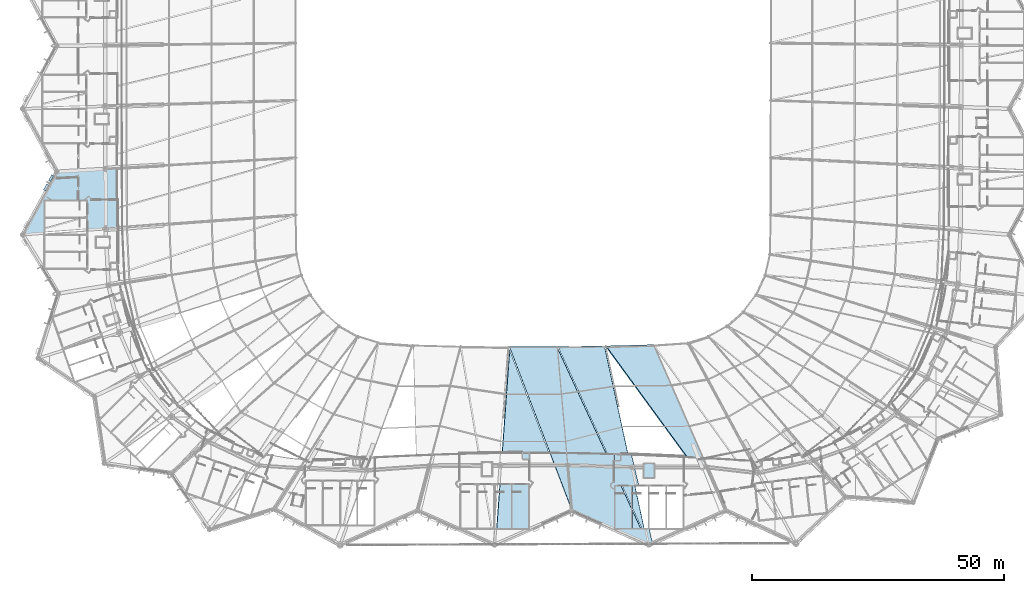
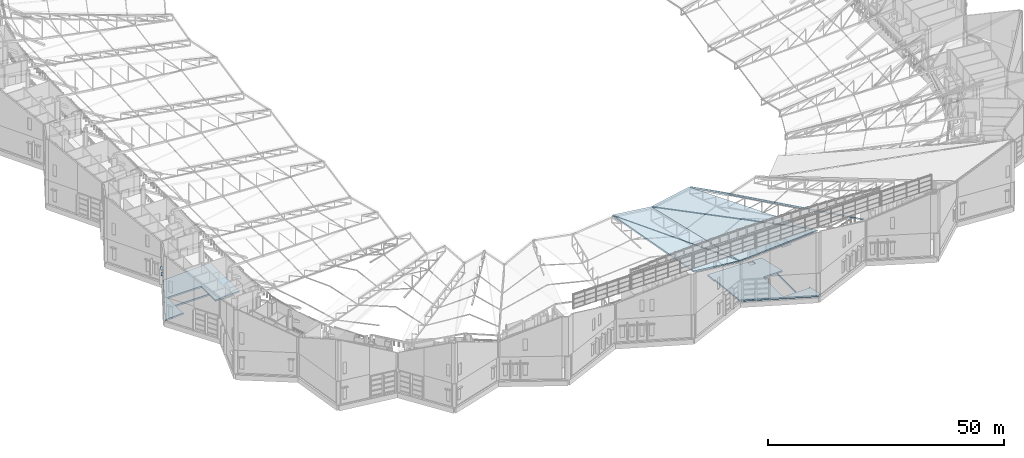
# One storey, part 229 of 344: 8 slabs, 2 plates.
"""IFC4 building model written with IfcOpenShell, lengths in metres."""

from ifc_helpers import new_model, si_unit, direction, frame, origin, origin_2d, place, context, subcontext, project, spatial, polyline, rectangle, outline, extrude, material, layer, layer_set, type_object, element, save


model = new_model("IFC4")

# Units and contexts
model_context = context("Model", 3, precision=1e-05, world=origin(), true_north=direction((0.0, 1.0)))
body_context = subcontext(model_context, "Body", "Model", "MODEL_VIEW")
ifc_project = project(units=[si_unit("LENGTHUNIT", "METRE"), si_unit("AREAUNIT", "SQUARE_METRE"), si_unit("VOLUMEUNIT", "CUBIC_METRE"), si_unit("PLANEANGLEUNIT", "RADIAN"), si_unit("MASSUNIT", "GRAM", prefix="KILO")], contexts=[model_context])

# Site, building, storey
site_placement = place(None, origin())
site = spatial("IfcSite", under=ifc_project, at=site_placement, CompositionType="ELEMENT")
building_placement = place(site_placement, origin())
building = spatial("IfcBuilding", under=site, at=building_placement, Name="Meseta Stadium", CompositionType="ELEMENT")
storey_placement = place(building_placement, frame((0.0, 0.0, 24.0)))
storey = spatial("IfcBuildingStorey", under=building, at=storey_placement, Name="L04", CompositionType="ELEMENT", Elevation=24.0)

# Slabs
ifc_material_1 = material(Name="Concrete C40/50", Category="concrete")
ifc_layer_1 = layer(ifc_material_1, 0.25)
ifc_layer_set_1 = layer_set([ifc_layer_1], Name="Core roof slab 250")
slab_type_1 = type_object("IfcSlabType", Name="Core roof slab 250", PredefinedType="ROOF", material=ifc_layer_set_1)
slab_1_placement = place(storey_placement, frame((0.0, 0.0, 4.60009765625)))
element("IfcSlab", 1, at=slab_1_placement, inside=storey, type_object=slab_type_1, Name="Core 25 lift overrun roof", PredefinedType="ROOF", context=body_context, shape_type="SweptSolid", body=[
    extrude(outline(polyline([(21.85009765625, -92.10009765625), (21.85009765625, -89.10009765625), (24.14990234375, -89.10009765625), (24.14990234375, -92.10009765625), (21.85009765625, -92.10009765625)])), origin(), (0.0, 0.0, 1.0), 0.25),
])
ifc_material_2 = material(Name="Concrete C40/50", Category="concrete")
ifc_layer_2 = layer(ifc_material_2, 0.39990234375)
ifc_layer_set_2 = layer_set([ifc_layer_2], Name="Floor slab 400")
slab_type_2 = type_object("IfcSlabType", Name="Floor slab 400", PredefinedType="FLOOR", material=ifc_layer_set_2)
slab_2_placement = place(storey_placement, frame((0.0, 0.0, -0.39990234375)))
element("IfcSlab", 2, at=slab_2_placement, inside=storey, type_object=slab_type_2, Name="Floor slab L04 sector 35 panel 01", PredefinedType="FLOOR", context=body_context, shape_type="SweptSolid", body=[
    extrude(outline(polyline([(-82.5, -38.5068359375), (-82.53759765625, -30.412353515625), (-84.92578125, -30.543212890625), (-94.693115234375, -31.07861328125), (-94.60009765625, -31.25), (-101.39990234375, -43.75), (-101.24853515625, -43.999267578125), (-96.697021484375, -43.64990234375), (-97.0, -43.64990234375), (-97.0, -40.449951171875), (-88.60009765625, -40.449951171875), (-88.60009765625, -43.028564453125), (-82.47802734375, -42.55859375), (-82.5, -38.5068359375)]), holes=[polyline([(-97.0, -40.25), (-97.0, -37.050048828125), (-88.60009765625, -37.050048828125), (-88.60009765625, -40.25), (-97.0, -40.25)])]), origin(), (0.0, 0.0, 1.0), 0.39990234375),
])
slab_3_placement = place(storey_placement, frame((0.0, 0.0, -0.39990234375)))
element("IfcSlab", 3, at=slab_3_placement, inside=storey, type_object=slab_type_2, Name="Floor slab L04 sector 42 panel 08", PredefinedType="FLOOR", context=body_context, shape_type="SweptSolid", body=[
    extrude(outline(polyline([(15.154052734375, -87.23193359375), (12.9794921875, -87.171630859375), (10.8095703125, -87.119873046875), (8.64306640625, -87.0771484375), (6.4794921875, -87.04345703125), (6.676025390625, -89.518310546875), (6.87060546875, -89.517822265625), (7.666748046875, -98.60009765625), (23.0, -105.39990234375), (23.732177734375, -105.0751953125), (22.89990234375, -101.580078125), (22.89990234375, -102.10009765625), (19.699951171875, -102.10009765625), (19.699951171875, -93.699951171875), (21.023681640625, -93.699951171875), (19.518310546875, -87.37744140625), (17.33349609375, -87.30078125), (15.154052734375, -87.23193359375)]), holes=[polyline([(17.35009765625, -88.550048828125), (16.14990234375, -88.550048828125), (16.14990234375, -87.35009765625), (17.35009765625, -87.35009765625), (17.35009765625, -88.550048828125)]), polyline([(19.5, -102.10009765625), (16.300048828125, -102.10009765625), (16.300048828125, -93.699951171875), (19.5, -93.699951171875), (19.5, -102.10009765625)])]), origin(), (0.0, 0.0, 1.0), 0.39990234375),
])

# Plates
ifc_material_3 = material(Name="White precast concrete C40/50", Category="concrete")
ifc_layer_3 = layer(ifc_material_3, 0.080078125)
ifc_layer_set_3 = layer_set([ifc_layer_3], Name="Louvre hood 1300x450")
plate_type = type_object("IfcPlateType", Name="Louvre hood 1300x450", PredefinedType="USERDEFINED", material=ifc_layer_set_3)
for number, where, z_axis, x_axis, name in (
    (4, (-95.7265625, -32.515380859375, 4.25), (0.0, 0.0, 1.0), (-0.477867090202, -0.878432151109, 0.0), "Louvre hood L04 F35"),
    (5, (-96.730224609375, -34.360107421875, 4.25), (0.0, 0.0, 1.0), (-0.477867090202, -0.878432151109, 0.0), "Louvre hood L04 F35"),
):
    element("IfcPlate", number, at=place(storey_placement, frame(where, z_axis=z_axis, x_axis=x_axis)), inside=storey, type_object=plate_type, Name=name, ObjectType="LOUVRE", PredefinedType="USERDEFINED", context=body_context, shape_type="SweptSolid", body=[
        extrude(rectangle(XDim=1.300048828125, YDim=0.449951171875, at=origin_2d()), origin(), (0.0, 0.0, 1.0), 0.080078125),
    ])

# Slabs
ifc_material_4 = material(Name="Precast concrete C40/50", Category="concrete")
ifc_layer_4 = layer(ifc_material_4, 0.300048828125)
ifc_layer_set_4 = layer_set([ifc_layer_4], Name="Roof plate 300")
slab_type_3 = type_object("IfcSlabType", Name="Roof plate 300", PredefinedType="ROOF", material=ifc_layer_set_4)
slab_4_placement = place(storey_placement, frame((4.80810546875, -65.981201171875, 5.4296875), z_axis=(0.122221694867, 0.154100541251, 0.98046666465), x_axis=(0.086387770374, -0.985775472991, 0.144166119385)))
element("IfcSlab", 6, at=slab_4_placement, inside=storey, type_object=slab_type_3, Name="Roof panel RP-46 A", PredefinedType="ROOF", context=body_context, shape_type="SweptSolid", body=[
    extrude(outline(polyline([(0.0, 0.0), (32.72625772439461, 4.440892098500626e-16), (-0.6506750290991975, -9.561993332927095), (0.0, 0.0)])), origin(), (0.0, 0.0, -1.0), 0.300048828125),
])
slab_5_placement = place(storey_placement, frame((-7.444091796875, -105.30126953125, 16.901123046875), z_axis=(0.312021683464, 0.220519718806, 0.924128520643), x_axis=(0.06996097182, 0.964716315181, -0.253826503041)))
element("IfcSlab", 7, at=slab_5_placement, inside=storey, type_object=slab_type_3, Name="Roof panel RP-46 B", PredefinedType="ROOF", context=body_context, shape_type="SweptSolid", body=[
    extrude(outline(polyline([(0.0, 0.0), (40.04046053646094, 8.881784197001252e-16), (9.17099654900008, -15.181097177313053), (0.0, 0.0)])), origin(), (0.0, 0.0, -1.0), 0.300048828125),
])
slab_6_placement = place(storey_placement, frame((22.47021484375, -104.014404296875, 16.614013671875), z_axis=(-0.182068694626, 0.198639624225, 0.963012611613), x_axis=(-0.404898813854, 0.877348342223, -0.257520556343)))
element("IfcSlab", 8, at=slab_6_placement, inside=storey, type_object=slab_type_3, Name="Roof panel RP-47 A", PredefinedType="ROOF", context=body_context, shape_type="SweptSolid", body=[
    extrude(outline(polyline([(0.0, 0.0), (43.35212170461413, -1.1102230246251565e-16), (39.288038602921766, -8.481455090191233), (0.0, 0.0)])), origin(), (0.0, 0.0, -1.0), 0.300048828125),
])
slab_7_placement = place(storey_placement, frame((7.666748046875, -98.60009765625, 10.199951171875), z_axis=(-0.364559092526, 0.103386485435, 0.92542309388), x_axis=(-0.086393323791, 0.985775510811, -0.144162532894)))
element("IfcSlab", 9, at=slab_7_placement, inside=storey, type_object=slab_type_3, Name="Roof panel RP-47 B", PredefinedType="ROOF", context=body_context, shape_type="SweptSolid", body=[
    extrude(outline(polyline([(0.0, 0.0), (32.80327982106922, -2.220446049250313e-16), (-8.930147610636594, -15.562705536955415), (0.0, 0.0)])), origin(), (0.0, 0.0, -1.0), 0.300048828125),
])
slab_8_placement = place(storey_placement, frame((23.879638671875, -65.576904296875, 2.066650390625), z_axis=(0.4307783869, 0.389092115951, 0.814271027782), x_axis=(0.391128290171, -0.893631736299, 0.22009311781)))
element("IfcSlab", 10, at=slab_8_placement, inside=storey, type_object=slab_type_3, Name="Roof panel RP-48 A", PredefinedType="ROOF", context=body_context, shape_type="SweptSolid", body=[
    extrude(outline(polyline([(0.0, 0.0), (36.567885101735804, -1.7763568394002505e-15), (-2.3225732533372305, -10.429728170889867), (0.0, 0.0)])), origin(), (0.0, 0.0, -1.0), 0.300048828125),
])

save(model, "model.ifc")
